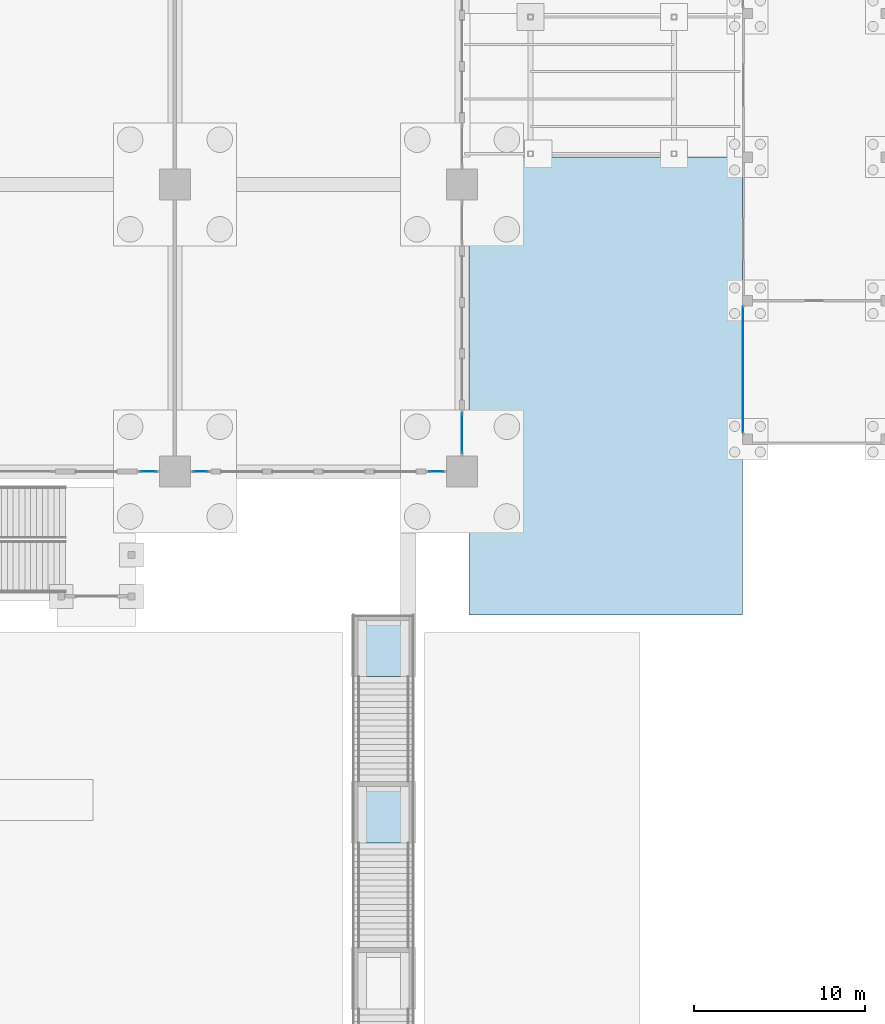
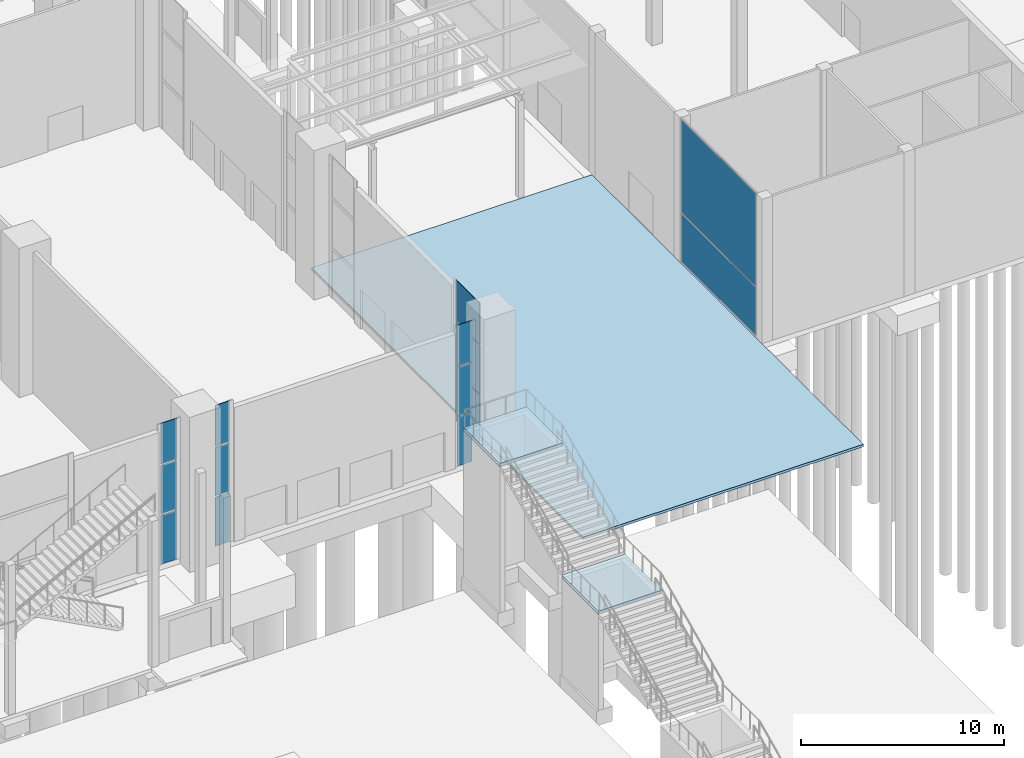
# One storey, part 33 of 72: 14 plates, 3 slabs, 6 elements without a shape of their own.
"""IFC4 building model written with IfcOpenShell, lengths in metres."""

from ifc_helpers import new_model, si_unit, direction, frame, origin, origin_2d, place, context, subcontext, project, spatial, polyline, rectangle, outline, extrude, material, layer, layer_set, type_object, element, aggregate, save


model = new_model("IFC4")

# Units and contexts
model_context = context("Model", 3, precision=1e-05, world=origin(), true_north=direction((0.0, 1.0)))
body_context = subcontext(model_context, "Body", "Model", "MODEL_VIEW")
ifc_project = project(units=[si_unit("LENGTHUNIT", "METRE"), si_unit("AREAUNIT", "SQUARE_METRE"), si_unit("VOLUMEUNIT", "CUBIC_METRE"), si_unit("PLANEANGLEUNIT", "RADIAN"), si_unit("MASSUNIT", "GRAM", prefix="KILO")], contexts=[model_context])

# Site, building, storey
site_placement = place(None, origin())
site = spatial("IfcSite", under=ifc_project, at=site_placement, CompositionType="ELEMENT")
building_placement = place(site_placement, origin())
building = spatial("IfcBuilding", under=site, at=building_placement, Name="Candeia Pilgrim Tower and Theatre", CompositionType="ELEMENT")
storey_placement = place(building_placement, origin())
storey = spatial("IfcBuildingStorey", under=building, at=storey_placement, Name="L00", CompositionType="ELEMENT", Elevation=0.0)

# Curtain wall, plates
ifc_material_1 = material(Name="Aluminium framed podium glazing", Category="aluminium")
curtain_wall_type_1 = type_object("IfcCurtainWallType", Name="CW-P curtain wall", PredefinedType="NOTDEFINED", material=ifc_material_1)
curtain_wall_1_placement = place(storey_placement, origin())
curtain_wall_1 = element("IfcCurtainWall", 1, at=curtain_wall_1_placement, inside=storey, type_object=curtain_wall_type_1, Name="Curtain wall CW-P L00.261", PredefinedType="NOTDEFINED")
ifc_material_2 = material(Name="Laminated low-iron glass 2 x 8 mm", Category="glass")
ifc_layer_1 = layer(ifc_material_2, 0.035888671875)
ifc_layer_set_1 = layer_set([ifc_layer_1], Name="CW-P glass panel 36")
plate_type_1 = type_object("IfcPlateType", Name="CW-P glass panel 36", PredefinedType="CURTAIN_PANEL", material=ifc_layer_set_1)
plate_1_placement = place(storey_placement, frame((159.60009765625, 66.64990234375, 0.0), z_axis=(0.0, 0.0, 1.0), x_axis=(0.0, -1.0, 0.0)))
plate_1 = element("IfcPlate", 2, at=plate_1_placement, type_object=plate_type_1, Name="CW-P panel 1.1", PredefinedType="CURTAIN_PANEL", context=body_context, shape_type="SweptSolid", body=[
    extrude(rectangle(XDim=2.320068359375, YDim=0.035888671875, at=origin_2d()), origin(), (0.0, 0.0, 1.0), 2.9599609375),
])
plate_2_placement = place(storey_placement, frame((159.60009765625, 66.64990234375, 3.0400390625), z_axis=(0.0, 0.0, 1.0), x_axis=(0.0, -1.0, 0.0)))
plate_2 = element("IfcPlate", 3, at=plate_2_placement, type_object=plate_type_1, Name="CW-P panel 1.2", PredefinedType="CURTAIN_PANEL", context=body_context, shape_type="SweptSolid", body=[
    extrude(rectangle(XDim=2.320068359375, YDim=0.035888671875, at=origin_2d()), origin(), (0.0, 0.0, 1.0), 2.919921875),
])
plate_3_placement = place(storey_placement, frame((159.60009765625, 66.64990234375, 6.0400390625), z_axis=(0.0, 0.0, 1.0), x_axis=(0.0, -1.0, 0.0)))
plate_3 = element("IfcPlate", 4, at=plate_3_placement, type_object=plate_type_1, Name="CW-P panel 1.3", PredefinedType="CURTAIN_PANEL", context=body_context, shape_type="SweptSolid", body=[
    extrude(rectangle(XDim=2.320068359375, YDim=0.035888671875, at=origin_2d()), origin(), (0.0, 0.0, 1.0), 2.4599609375),
])
aggregate(curtain_wall_1, [plate_1, plate_2, plate_3])

curtain_wall_2_placement = place(storey_placement, origin())
curtain_wall_2 = element("IfcCurtainWall", 5, at=curtain_wall_2_placement, inside=storey, type_object=curtain_wall_type_1, Name="Curtain wall CW-P L00.300", PredefinedType="NOTDEFINED")
plate_4_placement = place(storey_placement, frame((158.10009765625, 64.39990234375, 0.0), z_axis=(0.0, 0.0, 1.0), x_axis=(-1.0, 0.0, 0.0)))
plate_4 = element("IfcPlate", 6, at=plate_4_placement, type_object=plate_type_1, Name="CW-P panel 1.1", PredefinedType="CURTAIN_PANEL", context=body_context, shape_type="SweptSolid", body=[
    extrude(rectangle(XDim=0.820068359375, YDim=0.035888671875, at=origin_2d()), origin(), (0.0, 0.0, 1.0), 2.9599609375),
])
plate_5_placement = place(storey_placement, frame((158.10009765625, 64.39990234375, 3.0400390625), z_axis=(0.0, 0.0, 1.0), x_axis=(-1.0, 0.0, 0.0)))
plate_5 = element("IfcPlate", 7, at=plate_5_placement, type_object=plate_type_1, Name="CW-P panel 1.2", PredefinedType="CURTAIN_PANEL", context=body_context, shape_type="SweptSolid", body=[
    extrude(rectangle(XDim=0.820068359375, YDim=0.035888671875, at=origin_2d()), origin(), (0.0, 0.0, 1.0), 2.919921875),
])
plate_6_placement = place(storey_placement, frame((158.10009765625, 64.39990234375, 6.0400390625), z_axis=(0.0, 0.0, 1.0), x_axis=(-1.0, 0.0, 0.0)))
plate_6 = element("IfcPlate", 8, at=plate_6_placement, type_object=plate_type_1, Name="CW-P panel 1.3", PredefinedType="CURTAIN_PANEL", context=body_context, shape_type="SweptSolid", body=[
    extrude(rectangle(XDim=0.820068359375, YDim=0.035888671875, at=origin_2d()), origin(), (0.0, 0.0, 1.0), 2.4599609375),
])
aggregate(curtain_wall_2, [plate_4, plate_5, plate_6])

curtain_wall_3_placement = place(storey_placement, origin())
curtain_wall_3 = element("IfcCurtainWall", 9, at=curtain_wall_3_placement, inside=storey, type_object=curtain_wall_type_1, Name="Curtain wall CW-P L00.301", PredefinedType="NOTDEFINED")
plate_7_placement = place(storey_placement, frame((144.300048828125, 64.39990234375, 0.0), z_axis=(0.0, 0.0, 1.0), x_axis=(-1.0, 0.0, 0.0)))
plate_7 = element("IfcPlate", 10, at=plate_7_placement, type_object=plate_type_1, Name="CW-P panel 1.1", PredefinedType="CURTAIN_PANEL", context=body_context, shape_type="SweptSolid", body=[
    extrude(rectangle(XDim=0.820068359375, YDim=0.035888671875, at=origin_2d()), origin(), (0.0, 0.0, 1.0), 2.9599609375),
])
plate_8_placement = place(storey_placement, frame((144.300048828125, 64.39990234375, 3.0400390625), z_axis=(0.0, 0.0, 1.0), x_axis=(-1.0, 0.0, 0.0)))
plate_8 = element("IfcPlate", 11, at=plate_8_placement, type_object=plate_type_1, Name="CW-P panel 1.2", PredefinedType="CURTAIN_PANEL", context=body_context, shape_type="SweptSolid", body=[
    extrude(rectangle(XDim=0.820068359375, YDim=0.035888671875, at=origin_2d()), origin(), (0.0, 0.0, 1.0), 2.919921875),
])
plate_9_placement = place(storey_placement, frame((144.300048828125, 64.39990234375, 6.0400390625), z_axis=(0.0, 0.0, 1.0), x_axis=(-1.0, 0.0, 0.0)))
plate_9 = element("IfcPlate", 12, at=plate_9_placement, type_object=plate_type_1, Name="CW-P panel 1.3", PredefinedType="CURTAIN_PANEL", context=body_context, shape_type="SweptSolid", body=[
    extrude(rectangle(XDim=0.820068359375, YDim=0.035888671875, at=origin_2d()), origin(), (0.0, 0.0, 1.0), 2.4599609375),
])
aggregate(curtain_wall_3, [plate_7, plate_8, plate_9])

curtain_wall_4_placement = place(storey_placement, origin())
curtain_wall_4 = element("IfcCurtainWall", 13, at=curtain_wall_4_placement, inside=storey, type_object=curtain_wall_type_1, Name="Curtain wall CW-P L00.310", PredefinedType="NOTDEFINED")
plate_10_placement = place(storey_placement, frame((141.25, 64.39990234375, 0.0), z_axis=(0.0, 0.0, 1.0), x_axis=(-1.0, 0.0, 0.0)))
plate_10 = element("IfcPlate", 14, at=plate_10_placement, type_object=plate_type_1, Name="CW-P panel 1.1", PredefinedType="CURTAIN_PANEL", context=body_context, shape_type="SweptSolid", body=[
    extrude(rectangle(XDim=0.919921875, YDim=0.035888671875, at=origin_2d()), origin(), (0.0, 0.0, 1.0), 2.9599609375),
])
plate_11_placement = place(storey_placement, frame((141.25, 64.39990234375, 3.0400390625), z_axis=(0.0, 0.0, 1.0), x_axis=(-1.0, 0.0, 0.0)))
plate_11 = element("IfcPlate", 15, at=plate_11_placement, type_object=plate_type_1, Name="CW-P panel 1.2", PredefinedType="CURTAIN_PANEL", context=body_context, shape_type="SweptSolid", body=[
    extrude(rectangle(XDim=0.919921875, YDim=0.035888671875, at=origin_2d()), origin(), (0.0, 0.0, 1.0), 2.919921875),
])
plate_12_placement = place(storey_placement, frame((141.25, 64.39990234375, 6.0400390625), z_axis=(0.0, 0.0, 1.0), x_axis=(-1.0, 0.0, 0.0)))
plate_12 = element("IfcPlate", 16, at=plate_12_placement, type_object=plate_type_1, Name="CW-P panel 1.3", PredefinedType="CURTAIN_PANEL", context=body_context, shape_type="SweptSolid", body=[
    extrude(rectangle(XDim=0.919921875, YDim=0.035888671875, at=origin_2d()), origin(), (0.0, 0.0, 1.0), 2.4599609375),
])
aggregate(curtain_wall_4, [plate_10, plate_11, plate_12])

# Stair, slabs
ifc_material_3 = material(Name="Concrete C35/45", Category="concrete")
stair_type = type_object("IfcStairType", Name="Garden stair", PredefinedType="STRAIGHT_RUN_STAIR", material=ifc_material_3)
stair_placement = place(storey_placement, origin())
stair = element("IfcStair", 17, at=stair_placement, inside=storey, type_object=stair_type, Name="Garden stair E", PredefinedType="STRAIGHT_RUN_STAIR")
ifc_layer_2 = layer(ifc_material_3, 0.199951171875)
ifc_layer_set_2 = layer_set([ifc_layer_2], Name="Garden stair landing 200")
slab_type_1 = type_object("IfcSlabType", Name="Garden stair landing 200", PredefinedType="LANDING", material=ifc_layer_set_2)
slab_1_placement = place(storey_placement, frame((0.0, 0.0, 5.800048828125)))
slab_1 = element("IfcSlab", 18, at=slab_1_placement, type_object=slab_type_1, Name="GS2 landing 2", PredefinedType="LANDING", context=body_context, shape_type="SweptSolid", body=[
    extrude(outline(polyline([(153.199951171875, 42.679931640625), (156.800048828125, 42.679931640625), (156.800048828125, 46.280029296875), (153.199951171875, 46.280029296875), (153.199951171875, 42.679931640625)])), origin(), (0.0, 0.0, 1.0), 0.199951171875),
])
slab_2_placement = place(storey_placement, frame((0.0, 0.0, 8.800048828125)))
slab_2 = element("IfcSlab", 19, at=slab_2_placement, type_object=slab_type_1, Name="GS2 landing 3", PredefinedType="LANDING", context=body_context, shape_type="SweptSolid", body=[
    extrude(outline(polyline([(153.199951171875, 52.39990234375), (156.800048828125, 52.39990234375), (156.800048828125, 56.0), (153.199951171875, 56.0), (153.199951171875, 52.39990234375)])), origin(), (0.0, 0.0, 1.0), 0.199951171875),
])
aggregate(stair, [slab_1, slab_2])

# Curtain wall, plates
ifc_material_4 = material(Name="Aluminium curtain wall system", Category="aluminium")
curtain_wall_type_2 = type_object("IfcCurtainWallType", Name="Curtain wall CW-T", PredefinedType="NOTDEFINED", material=ifc_material_4)
curtain_wall_5_placement = place(storey_placement, origin())
curtain_wall_5 = element("IfcCurtainWall", 20, at=curtain_wall_5_placement, inside=storey, type_object=curtain_wall_type_2, Name="Foyer curtain wall L00 1", PredefinedType="NOTDEFINED")
ifc_material_5 = material(Name="Laminated low-iron glass", Category="glass")
ifc_layer_3 = layer(ifc_material_5, 0.028076171875)
ifc_layer_set_3 = layer_set([ifc_layer_3], Name="Panel CW-T glass 28")
plate_type_2 = type_object("IfcPlateType", Name="Panel CW-T glass 28", PredefinedType="CURTAIN_PANEL", material=ifc_layer_set_3)
plate_13_placement = place(storey_placement, frame((176.050048828125, 70.35009765625, 0.06005859375), z_axis=(0.0, 0.0, 1.0), x_axis=(0.0, 1.0, 0.0)))
plate_13 = element("IfcPlate", 21, at=plate_13_placement, type_object=plate_type_2, Name="CW-T panel 1.1", PredefinedType="CURTAIN_PANEL", context=body_context, shape_type="SweptSolid", body=[
    extrude(rectangle(XDim=7.3798828125, YDim=0.028076171875, at=origin_2d()), origin(), (0.0, 0.0, 1.0), 2.909912109375),
])
plate_14_placement = place(storey_placement, frame((176.050048828125, 70.35009765625, 3.02978515625), z_axis=(0.0, 0.0, 1.0), x_axis=(0.0, 1.0, 0.0)))
plate_14 = element("IfcPlate", 22, at=plate_14_placement, type_object=plate_type_2, Name="CW-T panel 1.2", PredefinedType="CURTAIN_PANEL", context=body_context, shape_type="SweptSolid", body=[
    extrude(rectangle(XDim=7.3798828125, YDim=0.028076171875, at=origin_2d()), origin(), (0.0, 0.0, 1.0), 5.610107421875),
])
aggregate(curtain_wall_5, [plate_13, plate_14])

# Slab
ifc_layer_4 = layer(ifc_material_3, 0.14990234375)
ifc_layer_set_4 = layer_set([ifc_layer_4], Name="Site paving slab 150")
slab_type_2 = type_object("IfcSlabType", Name="Site paving slab 150", PredefinedType="USERDEFINED", material=ifc_layer_set_4)
slab_3_placement = place(storey_placement, frame((0.0, 0.0, -0.14990234375)))
element("IfcSlab", 23, at=slab_3_placement, inside=storey, type_object=slab_type_2, Name="PAVING theatre forecourt", ObjectType="PAVING", PredefinedType="USERDEFINED", context=body_context, shape_type="SweptSolid", body=[
    extrude(outline(polyline([(176.0, 56.0), (176.0, 82.800048828125), (160.0, 82.800048828125), (160.0, 56.0), (176.0, 56.0)])), origin(), (0.0, 0.0, 1.0), 0.14990234375),
])

save(model, "model.ifc")
